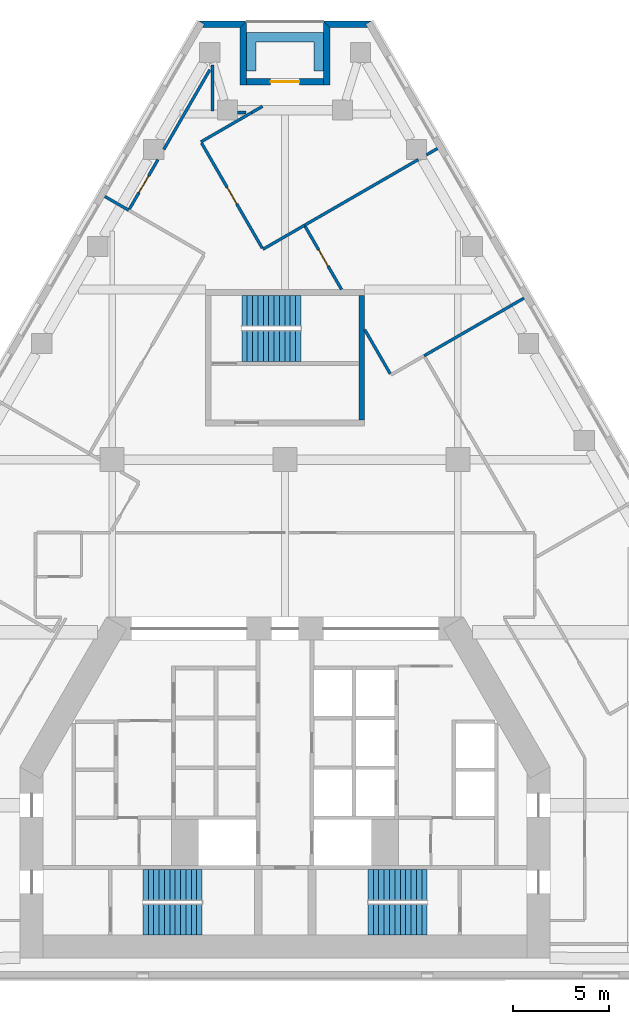
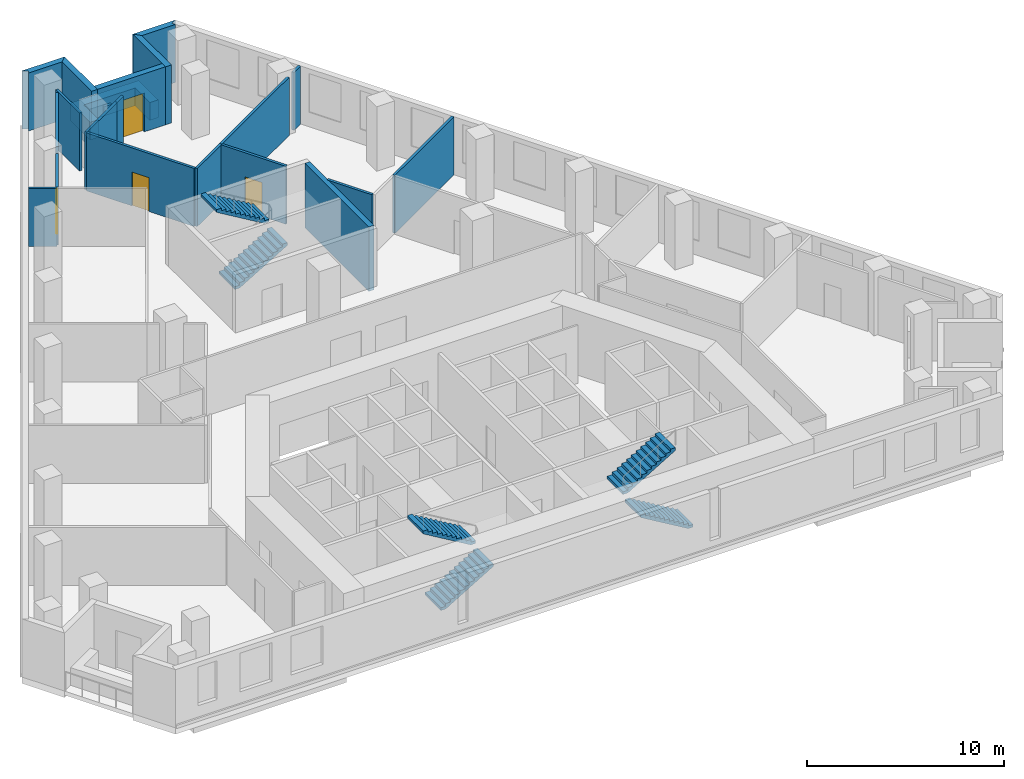
# One storey, part 7 of 8: 21 walls, 6 stair flights, 4 doors, 4 openings, 3 elements without a shape of their own.
"""IFC4 building model written with IfcOpenShell, lengths in metres."""

from ifc_helpers import new_model, si_unit, direction, frame, frame_2d, origin, place, context, subcontext, project, spatial, polyline, rectangle, outline, extrude, material, layer, layer_set, type_object, element, fill, aggregate, save


model = new_model("IFC4")

# Units and contexts
model_context = context("Model", 3, precision=1e-05, world=origin(), true_north=direction((0.0, 1.0)))
body_context = subcontext(model_context, "Body", "Model", "MODEL_VIEW")
ifc_project = project(units=[si_unit("LENGTHUNIT", "METRE"), si_unit("AREAUNIT", "SQUARE_METRE"), si_unit("VOLUMEUNIT", "CUBIC_METRE"), si_unit("PLANEANGLEUNIT", "RADIAN"), si_unit("MASSUNIT", "GRAM", prefix="KILO")], contexts=[model_context])

# Site, building, storey
site_placement = place(None, origin())
site = spatial("IfcSite", under=ifc_project, at=site_placement, CompositionType="ELEMENT")
building_placement = place(site_placement, origin())
building = spatial("IfcBuilding", under=site, at=building_placement, Name="Fogline Exchange Tower", CompositionType="ELEMENT")
storey_placement = place(building_placement, frame((0.0, 0.0, 154.89990234375)))
storey = spatial("IfcBuildingStorey", under=building, at=storey_placement, Name="L34", CompositionType="ELEMENT", Elevation=154.89990234375)

# Walls
ifc_material_1 = material(Name="Concrete C40", Category="concrete")
ifc_layer_1 = layer(ifc_material_1, 0.300048828125)
ifc_layer_set_1 = layer_set([ifc_layer_1], Name="CW30")
wall_type_1 = type_object("IfcWallType", Name="CW30", PredefinedType="SOLIDWALL", material=ifc_layer_set_1)
wall_1_placement = place(storey_placement, frame((4.0, 29.056884765625, -0.39990234375), z_axis=(0.0, 0.0, 1.0), x_axis=(0.0, 1.0, 0.0)))
element("IfcWall", 1, at=wall_1_placement, inside=storey, type_object=wall_type_1, Name="Stair enclosure wall ST3", PredefinedType="SOLIDWALL", context=body_context, shape_type="SweptSolid", body=[
    extrude(rectangle(XDim=6.5, YDim=0.300048828125, at=frame_2d((3.25, 0.0))), origin(), (0.0, 0.0, 1.0), 4.0),
])
ifc_material_2 = material(Name="Brick masonry", Category="masonry")
ifc_layer_2 = layer(ifc_material_2, 0.340087890625)
ifc_layer_set_2 = layer_set([ifc_layer_2], Name="FW1")
wall_type_2 = type_object("IfcWallType", Name="FW1", PredefinedType="SOLIDWALL", material=ifc_layer_set_2)
wall_2_placement = place(storey_placement, origin())
element("IfcWall", 2, at=wall_2_placement, inside=storey, type_object=wall_type_2, Name="Brick wall L34 N-c1", PredefinedType="SOLIDWALL", context=body_context, shape_type="SweptSolid", body=[
    extrude(outline(polyline([(1.9990234375, 49.84228515625), (4.5009765625, 49.84228515625), (4.501220703125, 49.841552734375), (4.206298828125, 49.67138671875), (4.3046875, 49.5009765625), (2.33984375, 49.5009765625), (1.998779296875, 49.842041015625), (1.9990234375, 49.84228515625)])), origin(), (0.0, 0.0, 1.0), 3.60009765625),
])
wall_3_placement = place(storey_placement, origin())
element("IfcWall", 3, at=wall_3_placement, inside=storey, type_object=wall_type_2, Name="Brick wall L34 N-s1", PredefinedType="SOLIDWALL", context=body_context, shape_type="SweptSolid", body=[
    extrude(outline(polyline([(2.340576171875, 46.5009765625), (1.99951171875, 46.5009765625), (1.99951171875, 49.8427734375), (1.999755859375, 49.8427734375), (2.340576171875, 49.501953125), (2.340576171875, 46.5009765625)])), origin(), (0.0, 0.0, 1.0), 3.60009765625),
])

# Wall, opening, door
wall_4_placement = place(storey_placement, frame((2.0, 46.671630859375, 0.0), z_axis=(0.0, 0.0, 1.0), x_axis=(-1.0, 0.0, 0.0)))
wall_4 = element("IfcWall", 4, at=wall_4_placement, inside=storey, type_object=wall_type_2, Name="Brick wall L34 N-bk", PredefinedType="SOLIDWALL", context=body_context, shape_type="SweptSolid", body=[
    extrude(rectangle(XDim=4.0, YDim=0.340087890625, at=frame_2d((2.0, 0.0))), origin(), (0.0, 0.0, 1.0), 3.60009765625),
])
opening_1_placement = place(wall_4_placement, frame((1.25, 0.0, 0.0)))
opening_1 = element("IfcOpeningElement", 5, at=opening_1_placement, cuts=wall_4, Name="Opening T11-E141", PredefinedType="OPENING", context=body_context, shape_type="SweptSolid", body=[
    extrude(rectangle(XDim=1.5, YDim=2.39990234375, at=frame_2d((0.75, 1.199951171875))), frame((0.0, 0.18017578125, 0.0), z_axis=(0.0, -1.0, 0.0), x_axis=(1.0, 0.0, 0.0)), (0.0, 0.0, 1.0), 0.360107421875),
])
ifc_material_3 = material(Name="Aluminium and glass", Category="aluminium")
door_type_1 = type_object("IfcDoorType", Name="ED4", OperationType="SINGLE_SWING_LEFT", PredefinedType="DOOR", material=ifc_material_3)
door_1_placement = place(opening_1_placement, frame((1.5, 0.0, 0.0), z_axis=(0.0, 0.0, 1.0), x_axis=(-1.0, 0.0, 0.0)))
door_1 = element("IfcDoor", 6, at=door_1_placement, inside=storey, type_object=door_type_1, Name="Balcony door L34 N", OperationType="DOUBLE_DOOR_SINGLE_SWING", OverallHeight=2.39990234375, OverallWidth=1.5, PredefinedType="DOOR", context=body_context, shape_type="SweptSolid", body=[
    extrude(rectangle(XDim=1.5, YDim=2.39990234375, at=frame_2d((0.75, 1.199951171875))), frame((0.0, 0.02490234375, 0.0), z_axis=(0.0, -1.0, 0.0), x_axis=(1.0, 0.0, 0.0)), (0.0, 0.0, 1.0), 0.050048828125),
])
fill(opening_1, door_1)

# Walls
wall_5_placement = place(storey_placement, origin())
element("IfcWall", 7, at=wall_5_placement, inside=storey, type_object=wall_type_2, Name="Brick wall L34 N-s2", PredefinedType="SOLIDWALL", context=body_context, shape_type="SweptSolid", body=[
    extrude(outline(polyline([(-1.99951171875, 49.8427734375), (-1.99951171875, 46.5009765625), (-2.340576171875, 46.5009765625), (-2.340576171875, 49.501953125), (-1.999755859375, 49.8427734375), (-1.99951171875, 49.8427734375)])), origin(), (0.0, 0.0, 1.0), 3.60009765625),
])
wall_6_placement = place(storey_placement, origin())
element("IfcWall", 8, at=wall_6_placement, inside=storey, type_object=wall_type_2, Name="Brick wall L34 N-c2", PredefinedType="SOLIDWALL", context=body_context, shape_type="SweptSolid", body=[
    extrude(outline(polyline([(-4.3046875, 49.5009765625), (-4.206298828125, 49.67138671875), (-4.501220703125, 49.841552734375), (-4.5009765625, 49.84228515625), (-1.9990234375, 49.84228515625), (-1.998779296875, 49.842041015625), (-2.33984375, 49.5009765625), (-4.3046875, 49.5009765625)])), origin(), (0.0, 0.0, 1.0), 3.60009765625),
])
ifc_material_4 = material(Name="Concrete C30", Category="concrete")
ifc_layer_3 = layer(ifc_material_4, 0.199951171875)
ifc_layer_set_3 = layer_set([ifc_layer_3], Name="PL1")
wall_type_3 = type_object("IfcWallType", Name="PL1", PredefinedType="USERDEFINED", material=ifc_layer_set_3)
wall_7_placement = place(storey_placement, origin())
element("IfcWall", 9, at=wall_7_placement, inside=storey, type_object=wall_type_3, Name="PLANTER balcony L34 N", ObjectType="PLANTER", PredefinedType="USERDEFINED", context=body_context, shape_type="SweptSolid", body=[
    extrude(outline(polyline([(-1.5, 49.24169921875), (-2.0, 49.24169921875), (-2.0, 48.74169921875), (-2.0, 47.24169921875), (-1.5, 47.24169921875), (-1.5, 48.74169921875), (1.5, 48.74169921875), (1.5, 47.24169921875), (2.0, 47.24169921875), (2.0, 48.74169921875), (2.0, 49.24169921875), (1.5, 49.24169921875), (-1.5, 49.24169921875)])), origin(), (0.0, 0.0, 1.0), 1.10009765625),
])
ifc_material_5 = material(Name="Plasterboard demising partition with mineral wool and acoustic board")
ifc_layer_4 = layer(ifc_material_5, 0.14990234375)
ifc_layer_set_4 = layer_set([ifc_layer_4], Name="PW3")
wall_type_4 = type_object("IfcWallType", Name="PW3", PredefinedType="PARTITIONING", material=ifc_layer_set_4)
wall_8_placement = place(storey_placement, frame((7.2451171875, 32.40673828125, 0.0), z_axis=(0.0, 0.0, 1.0), x_axis=(0.866031096941, 0.499990139034, 0.0)))
element("IfcWall", 10, at=wall_8_placement, inside=storey, type_object=wall_type_4, Name="wall-L34-W023", PredefinedType="PARTITIONING", context=body_context, shape_type="SweptSolid", body=[
    extrude(rectangle(XDim=6.0, YDim=0.14990234375, at=frame_2d((3.0, 0.0))), origin(), (0.0, 0.0, 1.0), 3.60009765625),
])
wall_9_placement = place(storey_placement, frame((1.01318359375, 39.200927734375, 0.0), z_axis=(0.0, 0.0, 1.0), x_axis=(0.866025119933, 0.500000491645, 0.0)))
element("IfcWall", 11, at=wall_9_placement, inside=storey, type_object=wall_type_4, Name="wall-L34-W025", PredefinedType="PARTITIONING", context=body_context, shape_type="SweptSolid", body=[
    extrude(rectangle(XDim=6.8408203125, YDim=0.14990234375, at=frame_2d((3.42041015625, 0.0))), origin(), (0.0, 0.0, 1.0), 3.60009765625),
])
wall_10_placement = place(storey_placement, frame((7.36328125, 42.8671875, 0.0), z_axis=(0.0, 0.0, 1.0), x_axis=(0.866051602307, 0.499954620082, 0.0)))
element("IfcWall", 12, at=wall_10_placement, inside=storey, type_object=wall_type_4, Name="wall-L34-W026", PredefinedType="PARTITIONING", context=body_context, shape_type="SweptSolid", body=[
    extrude(rectangle(XDim=0.66748046875, YDim=0.14990234375, at=frame_2d((0.333740234375, 0.0))), origin(), (0.0, 0.0, 1.0), 3.60009765625),
])
wall_11_placement = place(storey_placement, frame((5.4755859375, 31.4716796875, 0.0), z_axis=(0.0, 0.0, 1.0), x_axis=(-0.500001430823, 0.866024577697, 0.0)))
element("IfcWall", 13, at=wall_11_placement, inside=storey, type_object=wall_type_4, Name="wall-L34-W028", PredefinedType="PARTITIONING", context=body_context, shape_type="SweptSolid", body=[
    extrude(rectangle(XDim=2.6513671875, YDim=0.14990234375, at=frame_2d((1.32568359375, 0.0))), origin(), (0.0, 0.0, 1.0), 3.60009765625),
])

# Wall, opening, door
wall_12_placement = place(storey_placement, frame((2.94384765625, 35.85693359375, 0.0), z_axis=(0.0, 0.0, 1.0), x_axis=(-0.49998106849, 0.866036333621, 0.0)))
wall_12 = element("IfcWall", 14, at=wall_12_placement, inside=storey, type_object=wall_type_4, Name="wall-L34-W029", PredefinedType="PARTITIONING", context=body_context, shape_type="SweptSolid", body=[
    extrude(rectangle(XDim=3.786376953125, YDim=0.14990234375, at=frame_2d((1.89306640625, 0.0))), origin(), (0.0, 0.0, 1.0), 3.60009765625),
])
opening_2_placement = place(wall_12_placement, frame((1.39306640625, 0.0, 0.0)))
opening_2 = element("IfcOpeningElement", 15, at=opening_2_placement, cuts=wall_12, Name="Opening T11-D009", PredefinedType="OPENING", context=body_context, shape_type="SweptSolid", body=[
    extrude(rectangle(XDim=1.0, YDim=2.10009765625, at=frame_2d((0.5, 1.050048828125))), frame((0.0, 0.0849609375, 0.0), z_axis=(0.0, -1.0, 0.0), x_axis=(1.0, 0.0, 0.0)), (0.0, 0.0, 1.0), 0.169921875),
])
ifc_material_6 = material(Name="Fire-rated timber door leaf with steel frame", Category="steel")
door_type_2 = type_object("IfcDoorType", Name="D3", OperationType="SINGLE_SWING_LEFT", PredefinedType="DOOR", material=ifc_material_6)
door_2_placement = place(opening_2_placement, frame((1.0, 0.0, 0.0), z_axis=(0.0, 0.0, 1.0), x_axis=(-1.0, 0.0, 0.0)))
door_2 = element("IfcDoor", 16, at=door_2_placement, inside=storey, type_object=door_type_2, Name="door-L34-D009", OperationType="SINGLE_SWING_LEFT", OverallHeight=2.10009765625, OverallWidth=1.0, PredefinedType="DOOR", context=body_context, shape_type="SweptSolid", body=[
    extrude(rectangle(XDim=1.0, YDim=2.10009765625, at=frame_2d((0.5, 1.050048828125))), frame((0.0, 0.02490234375, 0.0), z_axis=(0.0, -1.0, 0.0), x_axis=(1.0, 0.0, 0.0)), (0.0, 0.0, 1.0), 0.050048828125),
])
fill(opening_2, door_2)

# Wall
wall_13_placement = place(storey_placement, frame((1.01318359375, 39.200927734375, 0.0), z_axis=(0.0, 0.0, 1.0), x_axis=(-0.866022959057, -0.500004234368, 0.0)))
element("IfcWall", 17, at=wall_13_placement, inside=storey, type_object=wall_type_4, Name="wall-L34-W030", PredefinedType="PARTITIONING", context=body_context, shape_type="SweptSolid", body=[
    extrude(rectangle(XDim=2.5, YDim=0.14990234375, at=frame_2d((1.25, 0.0))), origin(), (0.0, 0.0, 1.0), 3.60009765625),
])

# Wall, opening, door
wall_14_placement = place(storey_placement, frame((-1.189453125, 38.01611328125, 0.0), z_axis=(0.0, 0.0, 1.0), x_axis=(-0.50001509031, 0.866016691215, 0.0)))
wall_14 = element("IfcWall", 18, at=wall_14_placement, inside=storey, type_object=wall_type_4, Name="wall-L34-W031", PredefinedType="PARTITIONING", context=body_context, shape_type="SweptSolid", body=[
    extrude(rectangle(XDim=6.306884765625, YDim=0.14990234375, at=frame_2d((3.1533203125, 0.0))), origin(), (0.0, 0.0, 1.0), 3.60009765625),
])
opening_3_placement = place(wall_14_placement, frame((2.653564453125, 0.0, 0.0)))
opening_3 = element("IfcOpeningElement", 19, at=opening_3_placement, cuts=wall_14, Name="Opening T11-D010", PredefinedType="OPENING", context=body_context, shape_type="SweptSolid", body=[
    extrude(rectangle(XDim=1.0, YDim=2.10009765625, at=frame_2d((0.5, 1.050048828125))), frame((0.0, 0.0849609375, 0.0), z_axis=(0.0, -1.0, 0.0), x_axis=(1.0, 0.0, 0.0)), (0.0, 0.0, 1.0), 0.169921875),
])
door_3_placement = place(opening_3_placement, frame((1.0, 0.0, 0.0), z_axis=(0.0, 0.0, 1.0), x_axis=(-1.0, 0.0, 0.0)))
door_3 = element("IfcDoor", 20, at=door_3_placement, inside=storey, type_object=door_type_2, Name="door-L34-D010", OperationType="SINGLE_SWING_RIGHT", OverallHeight=2.10009765625, OverallWidth=1.0, PredefinedType="DOOR", context=body_context, shape_type="SweptSolid", body=[
    extrude(rectangle(XDim=1.0, YDim=2.10009765625, at=frame_2d((0.5, 1.050048828125))), frame((0.0, 0.02490234375, 0.0), z_axis=(0.0, -1.0, 0.0), x_axis=(1.0, 0.0, 0.0)), (0.0, 0.0, 1.0), 0.050048828125),
])
fill(opening_3, door_3)

# Walls
wall_15_placement = place(storey_placement, frame((-4.38037109375, 43.54296875, 0.0), z_axis=(0.0, 0.0, 1.0), x_axis=(0.865998600028, 0.500046422594, 0.0)))
element("IfcWall", 21, at=wall_15_placement, inside=storey, type_object=wall_type_4, Name="wall-L34-W032", PredefinedType="PARTITIONING", context=body_context, shape_type="SweptSolid", body=[
    extrude(rectangle(XDim=3.044189453125, YDim=0.14990234375, at=frame_2d((1.52197265625, 0.0))), origin(), (0.0, 0.0, 1.0), 3.60009765625),
])
wall_16_placement = place(storey_placement, frame((-1.744140625, 45.065185546875, 0.0), z_axis=(0.0, 0.0, 1.0), x_axis=(0.865993787616, 0.500054756813, 0.0)))
element("IfcWall", 22, at=wall_16_placement, inside=storey, type_object=wall_type_4, Name="wall-L34-W033", PredefinedType="PARTITIONING", context=body_context, shape_type="SweptSolid", body=[
    extrude(rectangle(XDim=0.6572265625, YDim=0.14990234375, at=frame_2d((0.32861328125, 0.0))), origin(), (0.0, 0.0, 1.0), 3.60009765625),
])

# Wall, opening, door
wall_17_placement = place(storey_placement, frame((-8.102294921875, 40.04931640625, 0.0), z_axis=(0.0, 0.0, 1.0), x_axis=(0.500037910135, 0.866003515251, 0.0)))
wall_17 = element("IfcWall", 23, at=wall_17_placement, inside=storey, type_object=wall_type_4, Name="wall-L34-W034", PredefinedType="PARTITIONING", context=body_context, shape_type="SweptSolid", body=[
    extrude(rectangle(XDim=2.969970703125, YDim=0.14990234375, at=frame_2d((1.48486328125, 0.0))), origin(), (0.0, 0.0, 1.0), 3.60009765625),
])
opening_4_placement = place(wall_17_placement, frame((0.985107421875, 0.0, 0.0)))
opening_4 = element("IfcOpeningElement", 24, at=opening_4_placement, cuts=wall_17, Name="Opening T11-D011", PredefinedType="OPENING", context=body_context, shape_type="SweptSolid", body=[
    extrude(rectangle(XDim=1.0, YDim=2.10009765625, at=frame_2d((0.5, 1.050048828125))), frame((0.0, 0.0849609375, 0.0), z_axis=(0.0, -1.0, 0.0), x_axis=(1.0, 0.0, 0.0)), (0.0, 0.0, 1.0), 0.169921875),
])
door_4_placement = place(opening_4_placement, origin())
door_4 = element("IfcDoor", 25, at=door_4_placement, inside=storey, type_object=door_type_2, Name="door-L34-D011", OperationType="SINGLE_SWING_LEFT", OverallHeight=2.10009765625, OverallWidth=1.0, PredefinedType="DOOR", context=body_context, shape_type="SweptSolid", body=[
    extrude(rectangle(XDim=1.0, YDim=2.10009765625, at=frame_2d((0.5, 1.050048828125))), frame((0.0, 0.02490234375, 0.0), z_axis=(0.0, -1.0, 0.0), x_axis=(1.0, 0.0, 0.0)), (0.0, 0.0, 1.0), 0.050048828125),
])
fill(opening_4, door_4)

# Walls
wall_18_placement = place(storey_placement, frame((-6.3134765625, 43.147705078125, 0.0), z_axis=(0.0, 0.0, 1.0), x_axis=(0.500011970786, 0.866018492338, 0.0)))
element("IfcWall", 26, at=wall_18_placement, inside=storey, type_object=wall_type_4, Name="wall-L34-W035", PredefinedType="PARTITIONING", context=body_context, shape_type="SweptSolid", body=[
    extrude(rectangle(XDim=4.79345703125, YDim=0.14990234375, at=frame_2d((2.396728515625, 0.0))), origin(), (0.0, 0.0, 1.0), 3.60009765625),
])
wall_19_placement = place(storey_placement, frame((-3.776611328125, 47.541748046875, 0.0), z_axis=(0.0, 0.0, 1.0), x_axis=(0.0, -1.0, 0.0)))
element("IfcWall", 27, at=wall_19_placement, inside=storey, type_object=wall_type_4, Name="wall-L34-W036", PredefinedType="PARTITIONING", context=body_context, shape_type="SweptSolid", body=[
    extrude(rectangle(XDim=2.401611328125, YDim=0.14990234375, at=frame_2d((1.20068359375, 0.0))), origin(), (0.0, 0.0, 1.0), 3.60009765625),
])
wall_20_placement = place(storey_placement, frame((-2.47509765625, 45.065185546875, 0.0), z_axis=(0.0, 0.0, 1.0), x_axis=(1.0, 0.0, 0.0)))
element("IfcWall", 28, at=wall_20_placement, inside=storey, type_object=wall_type_4, Name="wall-L34-W037", PredefinedType="PARTITIONING", context=body_context, shape_type="SweptSolid", body=[
    extrude(rectangle(XDim=0.45068359375, YDim=0.14990234375, at=frame_2d((0.225341796875, 0.0))), origin(), (0.0, 0.0, 1.0), 3.60009765625),
])
wall_21_placement = place(storey_placement, frame((-8.139892578125, 39.984375, 0.0), z_axis=(0.0, 0.0, 1.0), x_axis=(-0.866069535745, 0.49992355341, 0.0)))
element("IfcWall", 29, at=wall_21_placement, inside=storey, type_object=wall_type_4, Name="wall-L34-W043", PredefinedType="PARTITIONING", context=body_context, shape_type="SweptSolid", body=[
    extrude(rectangle(XDim=1.436279296875, YDim=0.14990234375, at=frame_2d((0.71826171875, 0.0))), origin(), (0.0, 0.0, 1.0), 3.60009765625),
])

# Stair, stair flights
stair_type = type_object("IfcStairType", Name="STR24-1667", PredefinedType="HALF_TURN_STAIR", material=ifc_material_1)
stair_1_placement = place(storey_placement, origin())
stair_1 = element("IfcStair", 30, at=stair_1_placement, inside=storey, type_object=stair_type, Name="Stair ST1", PredefinedType="HALF_TURN_STAIR")
stair_flight_type = type_object("IfcStairFlightType", Name="SF12-1667", PredefinedType="STRAIGHT", material=ifc_material_1)
stair_flight_1_placement = place(storey_placement, frame((-7.39990234375, 3.050048828125, 0.0), z_axis=(0.0, 0.0, 1.0), x_axis=(1.0, 0.0, 0.0)))
stair_flight_1 = element("IfcStairFlight", 31, at=stair_flight_1_placement, type_object=stair_flight_type, Name="ST1 flight 1", NumberOfRisers=12, NumberOfTreads=11, PredefinedType="STRAIGHT", RiserHeight=0.166666667, TreadLength=0.28, context=body_context, shape_type="SweptSolid", body=[
    extrude(outline(polyline([(0.0, 0.0), (0.0, 0.166748046875), (0.280029296875, 0.166748046875), (0.280029296875, 0.333251953125), (0.56005859375, 0.333251953125), (0.56005859375, 0.5), (0.840087890625, 0.5), (0.840087890625, 0.666748046875), (1.1201171875, 0.666748046875), (1.1201171875, 0.833251953125), (1.39990234375, 0.833251953125), (1.39990234375, 1.0), (1.679931640625, 1.0), (1.679931640625, 1.166748046875), (1.9599609375, 1.166748046875), (1.9599609375, 1.333251953125), (2.239990234375, 1.333251953125), (2.239990234375, 1.5), (2.52001953125, 1.5), (2.52001953125, 1.666748046875), (2.800048828125, 1.666748046875), (2.800048828125, 1.833251953125), (3.080078125, 1.833251953125), (3.080078125, 2.0), (3.080078125, 1.658935546875), (0.29296875, 0.0), (0.0, 0.0)])), frame((0.0, 0.800048828125, 0.0), z_axis=(0.0, -1.0, 0.0), x_axis=(1.0, 0.0, 0.0)), (0.0, 0.0, 1.0), 1.60009765625),
])
stair_flight_2_placement = place(storey_placement, frame((-4.320068359375, 4.85009765625, 2.0), z_axis=(0.0, 0.0, 1.0), x_axis=(-1.0, 0.0, 0.0)))
stair_flight_2 = element("IfcStairFlight", 32, at=stair_flight_2_placement, type_object=stair_flight_type, Name="ST1 flight 2", NumberOfRisers=12, NumberOfTreads=11, PredefinedType="STRAIGHT", RiserHeight=0.166666667, TreadLength=0.28, context=body_context, shape_type="SweptSolid", body=[
    extrude(outline(polyline([(0.0, 0.0), (0.0, 0.166748046875), (0.280029296875, 0.166748046875), (0.280029296875, 0.333251953125), (0.56005859375, 0.333251953125), (0.56005859375, 0.5), (0.840087890625, 0.5), (0.840087890625, 0.666748046875), (1.1201171875, 0.666748046875), (1.1201171875, 0.833251953125), (1.39990234375, 0.833251953125), (1.39990234375, 1.0), (1.679931640625, 1.0), (1.679931640625, 1.166748046875), (1.9599609375, 1.166748046875), (1.9599609375, 1.333251953125), (2.239990234375, 1.333251953125), (2.239990234375, 1.5), (2.52001953125, 1.5), (2.52001953125, 1.666748046875), (2.800048828125, 1.666748046875), (2.800048828125, 1.833251953125), (3.080078125, 1.833251953125), (3.080078125, 2.0), (3.080078125, 1.658935546875), (0.29296875, 0.0), (0.0, 0.0)])), frame((0.0, 0.800048828125, 0.0), z_axis=(0.0, -1.0, 0.0), x_axis=(1.0, 0.0, 0.0)), (0.0, 0.0, 1.0), 1.60009765625),
])
aggregate(stair_1, [stair_flight_1, stair_flight_2])

stair_2_placement = place(storey_placement, origin())
stair_2 = element("IfcStair", 33, at=stair_2_placement, inside=storey, type_object=stair_type, Name="Stair ST2", PredefinedType="HALF_TURN_STAIR")
stair_flight_3_placement = place(storey_placement, frame((7.39990234375, 3.050048828125, 0.0), z_axis=(0.0, 0.0, 1.0), x_axis=(-1.0, 0.0, 0.0)))
stair_flight_3 = element("IfcStairFlight", 34, at=stair_flight_3_placement, type_object=stair_flight_type, Name="ST2 flight 1", NumberOfRisers=12, NumberOfTreads=11, PredefinedType="STRAIGHT", RiserHeight=0.166666667, TreadLength=0.28, context=body_context, shape_type="SweptSolid", body=[
    extrude(outline(polyline([(0.0, 0.0), (0.0, 0.166748046875), (0.280029296875, 0.166748046875), (0.280029296875, 0.333251953125), (0.56005859375, 0.333251953125), (0.56005859375, 0.5), (0.840087890625, 0.5), (0.840087890625, 0.666748046875), (1.1201171875, 0.666748046875), (1.1201171875, 0.833251953125), (1.39990234375, 0.833251953125), (1.39990234375, 1.0), (1.679931640625, 1.0), (1.679931640625, 1.166748046875), (1.9599609375, 1.166748046875), (1.9599609375, 1.333251953125), (2.239990234375, 1.333251953125), (2.239990234375, 1.5), (2.52001953125, 1.5), (2.52001953125, 1.666748046875), (2.800048828125, 1.666748046875), (2.800048828125, 1.833251953125), (3.080078125, 1.833251953125), (3.080078125, 2.0), (3.080078125, 1.658935546875), (0.29296875, 0.0), (0.0, 0.0)])), frame((0.0, 0.800048828125, 0.0), z_axis=(0.0, -1.0, 0.0), x_axis=(1.0, 0.0, 0.0)), (0.0, 0.0, 1.0), 1.60009765625),
])
stair_flight_4_placement = place(storey_placement, frame((4.320068359375, 4.85009765625, 2.0), z_axis=(0.0, 0.0, 1.0), x_axis=(1.0, 0.0, 0.0)))
stair_flight_4 = element("IfcStairFlight", 35, at=stair_flight_4_placement, type_object=stair_flight_type, Name="ST2 flight 2", NumberOfRisers=12, NumberOfTreads=11, PredefinedType="STRAIGHT", RiserHeight=0.166666667, TreadLength=0.28, context=body_context, shape_type="SweptSolid", body=[
    extrude(outline(polyline([(0.0, 0.0), (0.0, 0.166748046875), (0.280029296875, 0.166748046875), (0.280029296875, 0.333251953125), (0.56005859375, 0.333251953125), (0.56005859375, 0.5), (0.840087890625, 0.5), (0.840087890625, 0.666748046875), (1.1201171875, 0.666748046875), (1.1201171875, 0.833251953125), (1.39990234375, 0.833251953125), (1.39990234375, 1.0), (1.679931640625, 1.0), (1.679931640625, 1.166748046875), (1.9599609375, 1.166748046875), (1.9599609375, 1.333251953125), (2.239990234375, 1.333251953125), (2.239990234375, 1.5), (2.52001953125, 1.5), (2.52001953125, 1.666748046875), (2.800048828125, 1.666748046875), (2.800048828125, 1.833251953125), (3.080078125, 1.833251953125), (3.080078125, 2.0), (3.080078125, 1.658935546875), (0.29296875, 0.0), (0.0, 0.0)])), frame((0.0, 0.800048828125, 0.0), z_axis=(0.0, -1.0, 0.0), x_axis=(1.0, 0.0, 0.0)), (0.0, 0.0, 1.0), 1.60009765625),
])
aggregate(stair_2, [stair_flight_3, stair_flight_4])

stair_3_placement = place(storey_placement, origin())
stair_3 = element("IfcStair", 36, at=stair_3_placement, inside=storey, type_object=stair_type, Name="Stair ST3", PredefinedType="HALF_TURN_STAIR")
stair_flight_5_placement = place(storey_placement, frame((-2.25, 32.906982421875, 0.0), z_axis=(0.0, 0.0, 1.0), x_axis=(1.0, 0.0, 0.0)))
stair_flight_5 = element("IfcStairFlight", 37, at=stair_flight_5_placement, type_object=stair_flight_type, Name="ST3 flight 1", NumberOfRisers=12, NumberOfTreads=11, PredefinedType="STRAIGHT", RiserHeight=0.166666667, TreadLength=0.28, context=body_context, shape_type="SweptSolid", body=[
    extrude(outline(polyline([(0.0, 0.0), (0.0, 0.166748046875), (0.280029296875, 0.166748046875), (0.280029296875, 0.333251953125), (0.56005859375, 0.333251953125), (0.56005859375, 0.5), (0.840087890625, 0.5), (0.840087890625, 0.666748046875), (1.1201171875, 0.666748046875), (1.1201171875, 0.833251953125), (1.39990234375, 0.833251953125), (1.39990234375, 1.0), (1.679931640625, 1.0), (1.679931640625, 1.166748046875), (1.9599609375, 1.166748046875), (1.9599609375, 1.333251953125), (2.239990234375, 1.333251953125), (2.239990234375, 1.5), (2.52001953125, 1.5), (2.52001953125, 1.666748046875), (2.800048828125, 1.666748046875), (2.800048828125, 1.833251953125), (3.080078125, 1.833251953125), (3.080078125, 2.0), (3.080078125, 1.658935546875), (0.29296875, 0.0), (0.0, 0.0)])), frame((0.0, 0.800048828125, 0.0), z_axis=(0.0, -1.0, 0.0), x_axis=(1.0, 0.0, 0.0)), (0.0, 0.0, 1.0), 1.60009765625),
])
stair_flight_6_placement = place(storey_placement, frame((0.830078125, 34.757080078125, 2.0), z_axis=(0.0, 0.0, 1.0), x_axis=(-1.0, 0.0, 0.0)))
stair_flight_6 = element("IfcStairFlight", 38, at=stair_flight_6_placement, type_object=stair_flight_type, Name="ST3 flight 2", NumberOfRisers=12, NumberOfTreads=11, PredefinedType="STRAIGHT", RiserHeight=0.166666667, TreadLength=0.28, context=body_context, shape_type="SweptSolid", body=[
    extrude(outline(polyline([(0.0, 0.0), (0.0, 0.166748046875), (0.280029296875, 0.166748046875), (0.280029296875, 0.333251953125), (0.56005859375, 0.333251953125), (0.56005859375, 0.5), (0.840087890625, 0.5), (0.840087890625, 0.666748046875), (1.1201171875, 0.666748046875), (1.1201171875, 0.833251953125), (1.39990234375, 0.833251953125), (1.39990234375, 1.0), (1.679931640625, 1.0), (1.679931640625, 1.166748046875), (1.9599609375, 1.166748046875), (1.9599609375, 1.333251953125), (2.239990234375, 1.333251953125), (2.239990234375, 1.5), (2.52001953125, 1.5), (2.52001953125, 1.666748046875), (2.800048828125, 1.666748046875), (2.800048828125, 1.833251953125), (3.080078125, 1.833251953125), (3.080078125, 2.0), (3.080078125, 1.658935546875), (0.29296875, 0.0), (0.0, 0.0)])), frame((0.0, 0.800048828125, 0.0), z_axis=(0.0, -1.0, 0.0), x_axis=(1.0, 0.0, 0.0)), (0.0, 0.0, 1.0), 1.60009765625),
])
aggregate(stair_3, [stair_flight_5, stair_flight_6])

save(model, "model.ifc")
